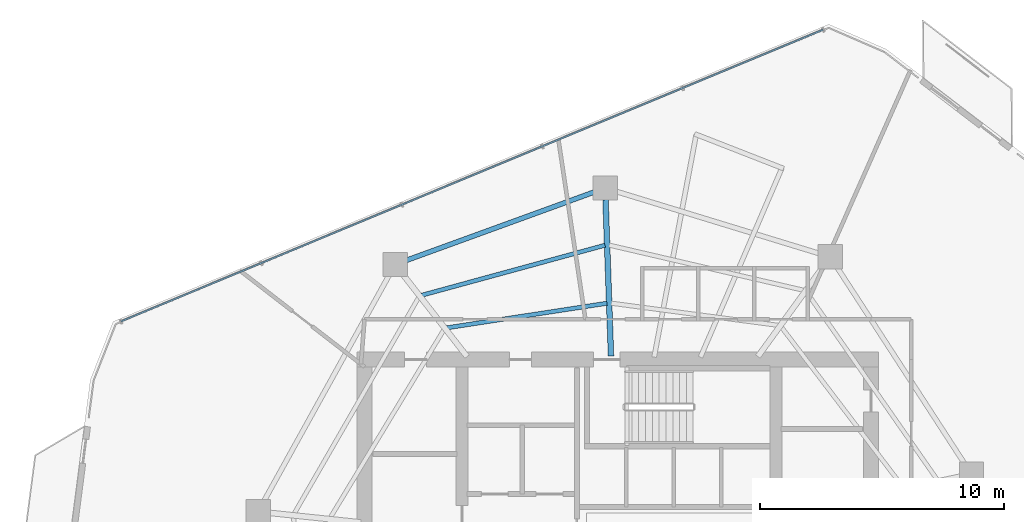
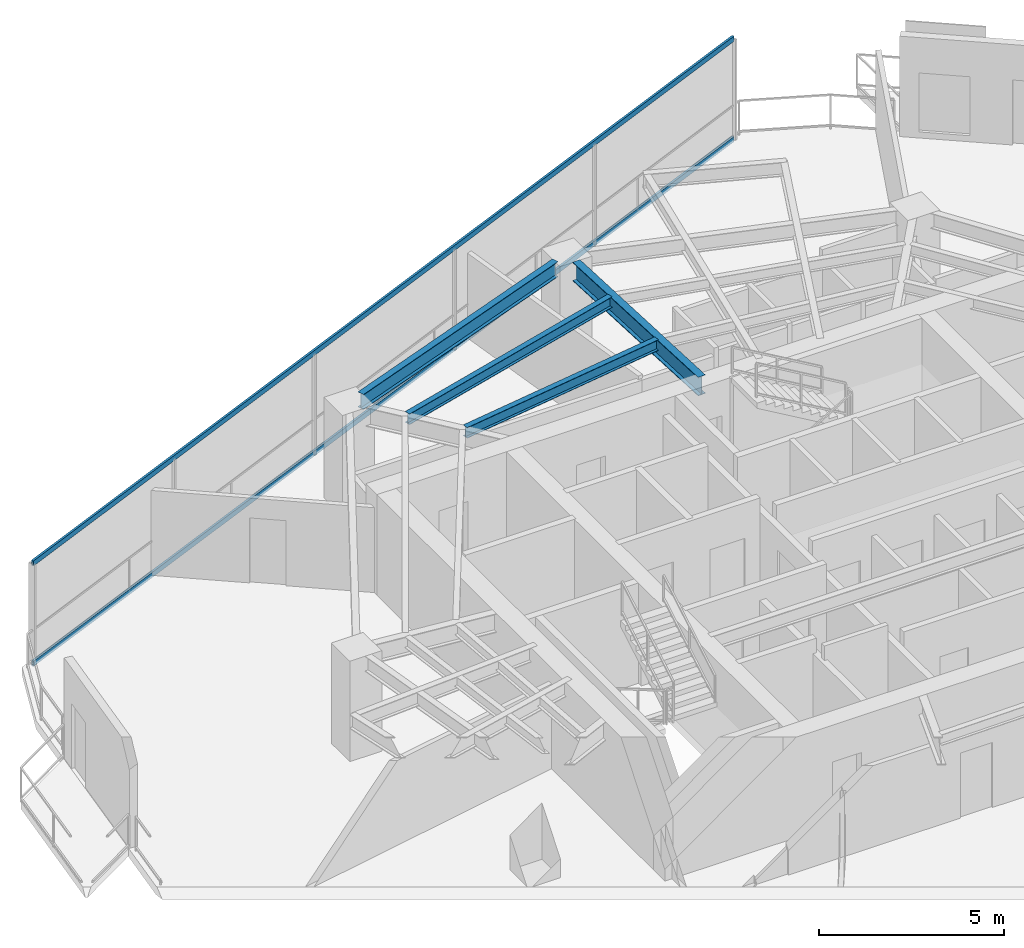
# One storey, part 12 of 20: 4 beams, 2 members, 1 element without a shape of its own.
"""IFC4 building model written with IfcOpenShell, lengths in metres."""

from ifc_helpers import new_model, si_unit, direction, frame, origin, origin_2d, place, context, subcontext, project, spatial, hollow_rectangle, i_section, extrude, material, layer, layer_set, material_profile, profile_set, type_object, element, aggregate, save


model = new_model("IFC4")

# Units and contexts
model_context = context("Model", 3, precision=1e-05, world=origin(), true_north=direction((0.0, 1.0)))
body_context = subcontext(model_context, "Body", "Model", "MODEL_VIEW")
ifc_project = project(units=[si_unit("LENGTHUNIT", "METRE"), si_unit("AREAUNIT", "SQUARE_METRE"), si_unit("VOLUMEUNIT", "CUBIC_METRE"), si_unit("PLANEANGLEUNIT", "RADIAN"), si_unit("MASSUNIT", "GRAM", prefix="KILO")], contexts=[model_context])

# Site, building, storey
site_placement = place(None, origin())
site = spatial("IfcSite", under=ifc_project, at=site_placement, CompositionType="ELEMENT")
building_placement = place(site_placement, origin())
building = spatial("IfcBuilding", under=site, at=building_placement, Name="Qarnah Convention Tower", CompositionType="ELEMENT")
storey_placement = place(building_placement, frame((0.0, 0.0, 150.89990234375)))
storey = spatial("IfcBuildingStorey", under=building, at=storey_placement, Name="L40", CompositionType="ELEMENT", Elevation=150.89990234375)

# Beams
ifc_material_1 = material(Name="Structural steel S355JR", Category="steel")
ifc_material_profile_1 = material_profile(ifc_material_1, i_section(OverallWidth=0.172119140625, OverallDepth=0.35595703125, WebThickness=0.007080078125, FlangeThickness=0.011962890625, at=origin_2d()), Name="W360X51")
ifc_profile_set_1 = profile_set([ifc_material_profile_1], Name="Structural steel S355JR")
beam_type_1 = type_object("IfcBeamType", Name="BM-JST-W360", PredefinedType="JOIST", material=ifc_profile_set_1)
beam_1_placement = place(storey_placement, frame((36.676025390625, 38.89306640625, 3.14208984375), z_axis=(-0.964679279523, -0.263427196127, 0.0), x_axis=(0.263427196127, -0.964679279523, 0.0)))
element("IfcBeam", 1, at=beam_1_placement, inside=storey, type_object=beam_type_1, Name="L40 joist BM-L40-SJST-03", PredefinedType="JOIST", context=body_context, shape_type="SweptSolid", body=[
    extrude(i_section(OverallWidth=0.172119140625, OverallDepth=0.35595703125, WebThickness=0.007080078125, FlangeThickness=0.011962890625, at=origin_2d()), origin(), (0.0, 0.0, 1.0), 7.8017578125),
])
beam_2_placement = place(storey_placement, frame((36.758056640625, 36.510009765625, 3.14208984375), z_axis=(-0.988429806813, -0.151678993285, 0.0), x_axis=(0.151678993285, -0.988429806813, 0.0)))
element("IfcBeam", 2, at=beam_2_placement, inside=storey, type_object=beam_type_1, Name="L40 joist BM-L40-IJST-03", PredefinedType="JOIST", context=body_context, shape_type="SweptSolid", body=[
    extrude(i_section(OverallWidth=0.172119140625, OverallDepth=0.35595703125, WebThickness=0.007080078125, FlangeThickness=0.011962890625, at=origin_2d()), origin(), (0.0, 0.0, 1.0), 6.64599609375),
])
ifc_material_profile_2 = material_profile(ifc_material_1, i_section(OverallWidth=0.22998046875, OverallDepth=0.617919921875, WebThickness=0.012939453125, FlangeThickness=0.02197265625, at=origin_2d()), Name="W610X140")
ifc_profile_set_2 = profile_set([ifc_material_profile_2], Name="Structural steel S355JR")
beam_type_2 = type_object("IfcBeamType", Name="BM-RAD-W610A", PredefinedType="BEAM", material=ifc_profile_set_2)
beam_3_placement = place(storey_placement, frame((36.923095703125, 34.35009765625, 3.010986328125), z_axis=(-0.034938098977, 0.999389478252, 0.0), x_axis=(-0.999389478252, -0.034938098977, 0.0)))
element("IfcBeam", 3, at=beam_3_placement, inside=storey, type_object=beam_type_2, Name="L40 beam BM-L40-RAD-03", PredefinedType="BEAM", context=body_context, shape_type="SweptSolid", body=[
    extrude(i_section(OverallWidth=0.22998046875, OverallDepth=0.617919921875, WebThickness=0.012939453125, FlangeThickness=0.02197265625, at=origin_2d()), origin(), (0.0, 0.0, 1.0), 6.414794921875),
])
ifc_material_profile_3 = material_profile(ifc_material_1, i_section(OverallWidth=0.199951171875, OverallDepth=0.5, WebThickness=0.010009765625, FlangeThickness=0.01611328125, at=origin_2d()), Name="IPE500")
ifc_profile_set_3 = profile_set([ifc_material_profile_3], Name="Structural steel S355JR")
beam_type_3 = type_object("IfcBeamType", Name="BM-SPN-IPE500", PredefinedType="SPANDREL", material=ifc_profile_set_3)
beam_4_placement = place(storey_placement, frame((36.221923828125, 41.072998046875, 3.070068359375), z_axis=(-0.939745596534, -0.341874558567, 0.0), x_axis=(0.341874558567, -0.939745596534, 0.0)))
element("IfcBeam", 4, at=beam_4_placement, inside=storey, type_object=beam_type_3, Name="L40 spandrel BM-L40-SPN-03", PredefinedType="SPANDREL", context=body_context, shape_type="SweptSolid", body=[
    extrude(i_section(OverallWidth=0.199951171875, OverallDepth=0.5, WebThickness=0.010009765625, FlangeThickness=0.01611328125, at=origin_2d()), origin(), (0.0, 0.0, 1.0), 8.19873046875),
])

# Curtain wall, members
ifc_material_2 = material(Name="Tempered Low-E dark glass", Category="glass")
ifc_layer = layer(ifc_material_2, 0.172119140625)
ifc_layer_set = layer_set([ifc_layer], Name="Tempered Low-E dark glass")
curtain_wall_type = type_object("IfcCurtainWallType", Name="CWS-03", PredefinedType="NOTDEFINED", material=ifc_layer_set)
curtain_wall_placement = place(storey_placement, origin())
curtain_wall = element("IfcCurtainWall", 5, at=curtain_wall_placement, inside=storey, type_object=curtain_wall_type, Name="L40 unitised curtain wall CW-L40-F1", PredefinedType="NOTDEFINED")
ifc_material_3 = material(Name="Black anodised aluminium", Category="aluminium")
ifc_material_profile_4 = material_profile(ifc_material_3, hollow_rectangle(XDim=0.070068359375, YDim=0.169921875, WallThickness=0.0048828125, at=origin_2d()), Name="TRN-70X170")
ifc_profile_set_4 = profile_set([ifc_material_profile_4], Name="Black anodised aluminium")
member_type = type_object("IfcMemberType", Name="TRN-T3", PredefinedType="USERDEFINED", material=ifc_profile_set_4)
member_1_placement = place(storey_placement, frame((16.800048828125, 35.763916015625, 0.0), z_axis=(0.923478903668, 0.383649207584, 0.0), x_axis=(-0.383649207584, 0.923478903668, 0.0)))
member_1 = element("IfcMember", 6, at=member_1_placement, type_object=member_type, Name="CW-L40-F1 transom 1", ObjectType="TRANSOM", PredefinedType="USERDEFINED", context=body_context, shape_type="SweptSolid", body=[
    extrude(hollow_rectangle(XDim=0.070068359375, YDim=0.169921875, WallThickness=0.0048828125, at=origin_2d()), origin(), (0.0, 0.0, 1.0), 31.226318359375),
])
member_2_placement = place(storey_placement, frame((16.800048828125, 35.763916015625, 3.320068359375), z_axis=(0.923478903668, 0.383649207584, 0.0), x_axis=(-0.383649207584, 0.923478903668, 0.0)))
member_2 = element("IfcMember", 7, at=member_2_placement, type_object=member_type, Name="CW-L40-F1 transom 2", ObjectType="TRANSOM", PredefinedType="USERDEFINED", context=body_context, shape_type="SweptSolid", body=[
    extrude(hollow_rectangle(XDim=0.070068359375, YDim=0.169921875, WallThickness=0.0048828125, at=origin_2d()), origin(), (0.0, 0.0, 1.0), 31.226318359375),
])
aggregate(curtain_wall, [member_1, member_2])

save(model, "model.ifc")
